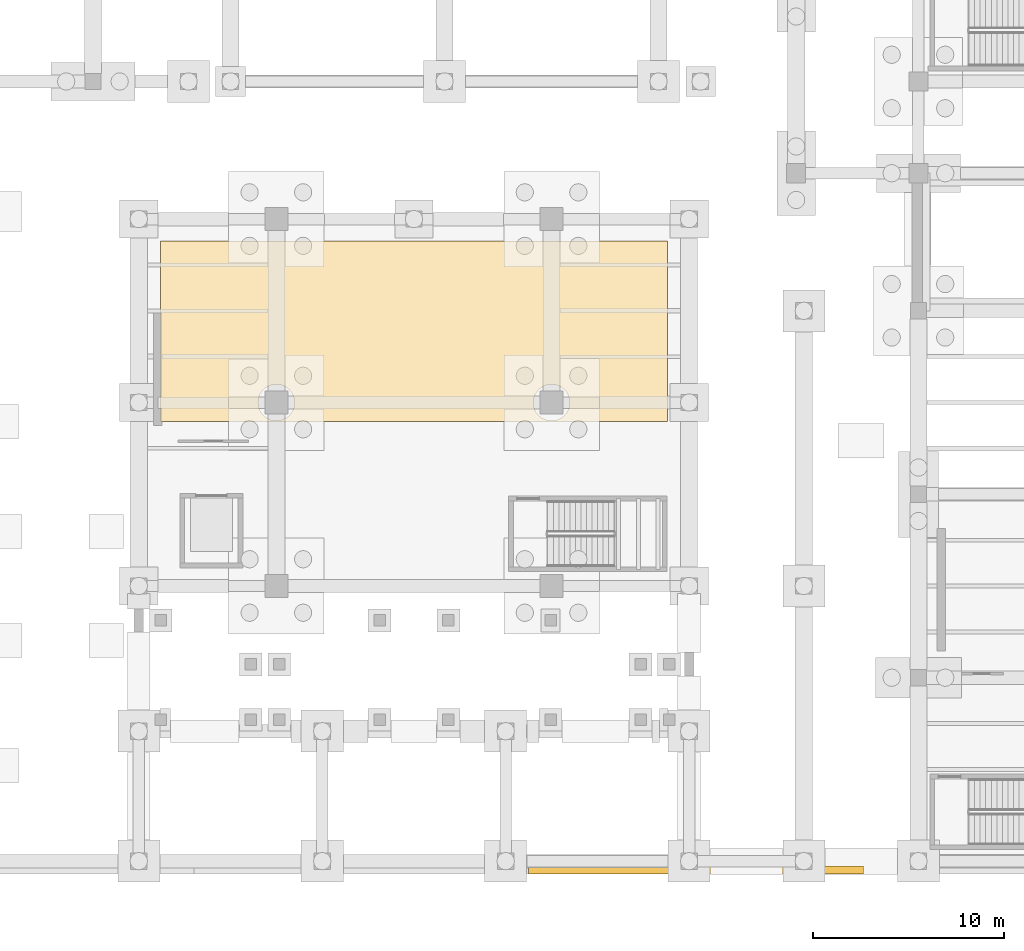
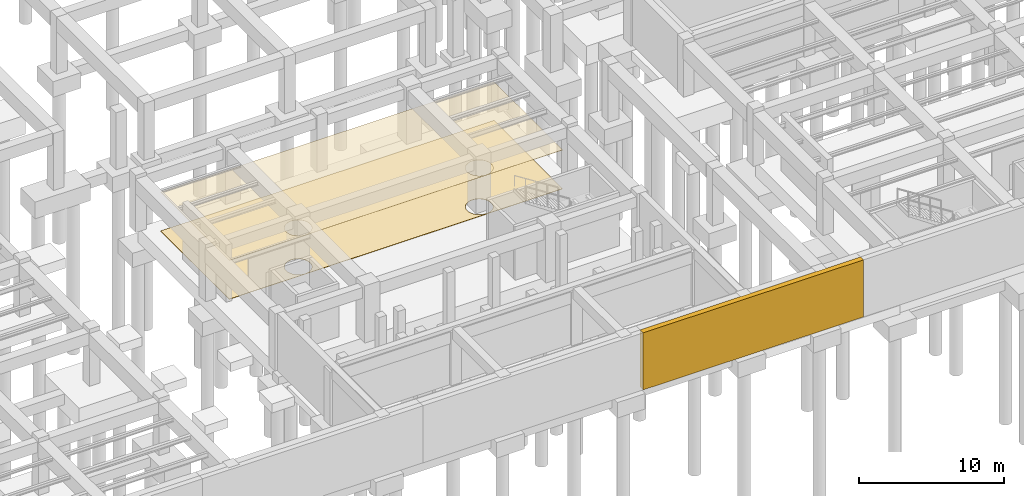
# One storey, part 48 of 56: 3 coverings.
"""IFC4 building model written with IfcOpenShell, lengths in metres."""

import ifcopenshell
import ifcopenshell.guid

model = None  # the IFC model being written
_history = None  # IfcOwnerHistory: only IFC2X3 demands one
_inside = {}  # id of a spatial element -> (the spatial element, [elements in it])
_under = {}  # id of a project, library or spatial element -> (it, [spatial elements below it])
_declared = {}  # id of a project -> (the project, [libraries it declares])
_typed = {}  # id of a type object -> (the type object, [elements of that type])
_made_of = {}  # id of a material, layer set ... -> (it, [elements and type objects made of it])


def new_model(schema):
    """Start an empty IFC model of exactly this schema.

    Asked for "IFC4X3", IfcOpenShell would pick the latest addendum, in which some entities
    have other attributes; the version numbers below select the first issue.
    IFC2X3 requires an IfcOwnerHistory on every rooted entity: one is made here for all.
    """
    global model, _history
    if schema == "IFC4X3":
        model = ifcopenshell.file(schema_version=(4, 3, 0, 0))
    else:
        model = ifcopenshell.file(schema=schema)
    _inside.clear()
    _under.clear()
    _declared.clear()
    _typed.clear()
    _made_of.clear()
    _history = None
    if model.schema == "IFC2X3":
        org = make("IfcOrganization", Name="unknown")
        user = make(
            "IfcPersonAndOrganization",
            ThePerson=make("IfcPerson", FamilyName="unknown"),
            TheOrganization=org,
        )
        app = make(
            "IfcApplication",
            ApplicationDeveloper=org,
            Version="unknown",
            ApplicationFullName="unknown",
            ApplicationIdentifier="unknown",
        )
        _history = make(
            "IfcOwnerHistory",
            OwningUser=user,
            OwningApplication=app,
            ChangeAction="ADDED",
            CreationDate=0,
        )
    return model


def make(cls, **values):
    """One entity of the class cls with the attributes given. An attribute that is None is left unset."""
    return model.create_entity(
        cls, **{name: value for name, value in values.items() if value is not None}
    )


def rooted(cls, **values):
    """An entity with a GlobalId (a new one), such as an element, a storey or a relation."""
    return make(cls, GlobalId=ifcopenshell.guid.new(), OwnerHistory=_history, **values)


def si_unit(unit_type, name, prefix=None):
    """IfcSIUnit, for example si_unit("LENGTHUNIT", "METRE", prefix="MILLI")."""
    return make("IfcSIUnit", UnitType=unit_type, Prefix=prefix, Name=name)


def assignment(units):
    """IfcUnitAssignment: the units of a project."""
    return None if units is None else make("IfcUnitAssignment", Units=units)


def point(xyz):
    """IfcCartesianPoint."""
    return None if xyz is None else make("IfcCartesianPoint", Coordinates=xyz)


def direction(xyz):
    """IfcDirection."""
    return None if xyz is None else make("IfcDirection", DirectionRatios=xyz)


def frame(location, z_axis=None, x_axis=None):
    """IfcAxis2Placement3D, a coordinate frame: its origin and axes. An axis left out is left unset."""
    return make(
        "IfcAxis2Placement3D",
        Location=point(location),
        Axis=direction(z_axis),
        RefDirection=direction(x_axis),
    )


def origin():
    """The frame at (0, 0, 0) with its axes left unset."""
    return frame((0.0, 0.0, 0.0))


def place(relative_to, where):
    """IfcLocalPlacement: puts the frame where relative to a parent placement (None: the world)."""
    return make(
        "IfcLocalPlacement", PlacementRelTo=relative_to, RelativePlacement=where
    )


def context(
    kind, dimensions, precision=None, world=None, true_north=None, identifier=None
):
    """IfcGeometricRepresentationContext, for example the 3D "Model" context."""
    return make(
        "IfcGeometricRepresentationContext",
        ContextIdentifier=identifier,
        ContextType=kind,
        CoordinateSpaceDimension=dimensions,
        Precision=precision,
        WorldCoordinateSystem=world,
        TrueNorth=true_north,
    )


def subcontext(parent, identifier, kind, view, scale=None):
    """IfcGeometricRepresentationSubContext, for example "Body" below "Model"."""
    return make(
        "IfcGeometricRepresentationSubContext",
        ContextIdentifier=identifier,
        ContextType=kind,
        ParentContext=parent,
        TargetScale=scale,
        TargetView=view,
    )


def project(units=None, contexts=None):
    """IfcProject with its units and contexts."""
    return rooted(
        "IfcProject",
        Name="project",
        RepresentationContexts=contexts,
        UnitsInContext=assignment(units),
    )


def spatial(cls, under=None, at=None, **own):
    """A site, building, storey or space (cls), placed at a placement, below another one or the project."""
    s = rooted(cls, ObjectPlacement=at, **own)
    if under is not None:
        _under.setdefault(under.id(), (under, []))[1].append(s)
    return s


def polyline(points):
    """IfcPolyline through the points."""
    return make("IfcPolyline", Points=[point(p) for p in points])


def outline(outer, holes=None, kind="AREA"):
    """IfcArbitraryClosedProfileDef: a profile drawn as a closed curve; with holes, ...WithVoids."""
    if holes is None:
        return make("IfcArbitraryClosedProfileDef", ProfileType=kind, OuterCurve=outer)
    return make(
        "IfcArbitraryProfileDefWithVoids",
        ProfileType=kind,
        OuterCurve=outer,
        InnerCurves=holes,
    )


def extrude(swept, where, along, depth):
    """IfcExtrudedAreaSolid: the profile swept, set in the frame where, extruded along a direction by depth."""
    return make(
        "IfcExtrudedAreaSolid",
        SweptArea=swept,
        Position=where,
        ExtrudedDirection=direction(along),
        Depth=depth,
    )


def shape(context_of_items, identifier, shape_type, items):
    """IfcShapeRepresentation: the items that make up one representation, for example the "Body"."""
    return make(
        "IfcShapeRepresentation",
        ContextOfItems=context_of_items,
        RepresentationIdentifier=identifier,
        RepresentationType=shape_type,
        Items=items,
    )


def material(Name=None, Category=None):
    """IfcMaterial."""
    return make("IfcMaterial", Name=Name, Category=Category)


def layer(
    of_material, thickness, ventilated=None, Name=None, Category=None, Priority=None
):
    """IfcMaterialLayer: one layer of a wall or slab, of a material (None: an air gap)."""
    return make(
        "IfcMaterialLayer",
        Material=of_material,
        LayerThickness=thickness,
        IsVentilated=ventilated,
        Name=Name,
        Category=Category,
        Priority=Priority,
    )


def layer_set(layers, Name=None):
    """IfcMaterialLayerSet."""
    return make("IfcMaterialLayerSet", MaterialLayers=layers, LayerSetName=Name)


def made_of(thing, what):
    """Note that an element or type object is made of a material, layer set ...; save() writes the relation."""
    if what is not None:
        _made_of.setdefault(what.id(), (what, []))[1].append(thing)
    return thing


def type_object(cls, material=None, **own):
    """A type object (cls), such as IfcWallType, which elements share."""
    return made_of(rooted(cls, **own), material)


def element(
    cls,
    number,
    at=None,
    inside=None,
    cuts=None,
    type_object=None,
    material=None,
    context=None,
    identifier="Body",
    shape_type=None,
    held_by="IfcProductDefinitionShape",
    body=None,
    shapes=None,
    **own,
):
    """One element of the class cls, such as IfcWall. Its Tag is "e" and its number.

    at: its placement. inside: the storey or other place that contains it. cuts: it is an
    opening in that element (IfcRelVoidsElement). A single representation is given by context,
    identifier, shape_type and body (its items); several are given by shapes. held_by: the class
    of the entity that holds the representations. save() writes the other relations.
    """
    e = rooted(cls, Tag="e%d" % number, ObjectPlacement=at, **own)
    if body is not None:
        shapes = [shape(context, identifier, shape_type, body)]
    if shapes is not None:
        e.Representation = make(held_by, Representations=shapes)
    if inside is not None:
        _inside.setdefault(inside.id(), (inside, []))[1].append(e)
    if cuts is not None:
        rooted(
            "IfcRelVoidsElement", RelatingBuildingElement=cuts, RelatedOpeningElement=e
        )
    if type_object is not None:
        _typed.setdefault(type_object.id(), (type_object, []))[1].append(e)
    return made_of(e, material)


def aggregate(whole, parts):
    """IfcRelAggregates: a whole, such as a stair, and the parts it consists of."""
    return rooted("IfcRelAggregates", RelatingObject=whole, RelatedObjects=parts)


def save(model, path):
    """Write the relations noted so far, then the file.

    IfcRelAggregates (storeys below a building ...), IfcRelContainedInSpatialStructure (elements
    in a storey), IfcRelDefinesByType, IfcRelAssociatesMaterial and IfcRelDeclares: one each for
    every whole, place, type object, material and project.
    """
    for whole, parts in _under.values():
        aggregate(whole, parts)
    for where, things in _inside.values():
        rooted(
            "IfcRelContainedInSpatialStructure",
            RelatedElements=things,
            RelatingStructure=where,
        )
    for kind, things in _typed.values():
        rooted("IfcRelDefinesByType", RelatedObjects=things, RelatingType=kind)
    for what, things in _made_of.values():
        rooted("IfcRelAssociatesMaterial", RelatedObjects=things, RelatingMaterial=what)
    for by, libraries in _declared.values():
        rooted("IfcRelDeclares", RelatingContext=by, RelatedDefinitions=libraries)
    model.write(path)


model = new_model("IFC4")

# Units and contexts
model_context = context("Model", 3, precision=1e-05, world=origin(), true_north=direction((0.0, 1.0)))
body_context = subcontext(model_context, "Body", "Model", "MODEL_VIEW")
ifc_project = project(units=[si_unit("LENGTHUNIT", "METRE"), si_unit("AREAUNIT", "SQUARE_METRE"), si_unit("VOLUMEUNIT", "CUBIC_METRE"), si_unit("PLANEANGLEUNIT", "RADIAN"), si_unit("MASSUNIT", "GRAM", prefix="KILO")], contexts=[model_context])

# Site, building, storey
site_placement = place(None, origin())
site = spatial("IfcSite", under=ifc_project, at=site_placement, CompositionType="ELEMENT")
building_placement = place(site_placement, origin())
building = spatial("IfcBuilding", under=site, at=building_placement, Name="Mavantir Sound Aquarium", CompositionType="ELEMENT")
storey_placement = place(building_placement, frame((0.0, 0.0, -9.60009765625)))
storey = spatial("IfcBuildingStorey", under=building, at=storey_placement, Name="B2", CompositionType="ELEMENT", Elevation=-9.60009765625)

# Coverings
ifc_material_1 = material(Name="Moisture-Resistant Acoustic Mineral Fibre Tile")
ifc_layer_1 = layer(ifc_material_1, 0.02490234375, Name="Moisture-Resistant Acoustic Mineral Fibre Tile")
ifc_layer_set_1 = layer_set([ifc_layer_1], Name="Moisture-Resistant Acoustic Mineral Fibre Tile")
covering_type_1 = type_object("IfcCoveringType", Name="COV-CEIL-AC", PredefinedType="CEILING", material=ifc_layer_set_1)
covering_1_placement = place(storey_placement, frame((0.0, 0.0, 3.27099609375)))
element("IfcCovering", 1, at=covering_1_placement, inside=storey, type_object=covering_type_1, Name="B2 Metro Station Platform Concourse East suspended acoustic ceiling", PredefinedType="CEILING", context=body_context, shape_type="SweptSolid", body=[
    extrude(outline(polyline([(94.860107421875, 32.4599609375), (94.860107421875, 23.0), (68.340087890625, 23.0), (68.340087890625, 32.4599609375), (94.860107421875, 32.4599609375)]), holes=[polyline([(89.4716796875, 23.328125), (89.534423828125, 23.397216796875), (89.58984375, 23.47216796875), (89.6376953125, 23.55224609375), (89.677734375, 23.636474609375), (89.708984375, 23.72412109375), (89.731689453125, 23.814697265625), (89.745361328125, 23.906982421875), (89.75, 24.0), (89.745361328125, 24.093017578125), (89.731689453125, 24.185302734375), (89.708984375, 24.27587890625), (89.677734375, 24.363525390625), (89.6376953125, 24.44775390625), (89.58984375, 24.52783203125), (89.534423828125, 24.602783203125), (89.4716796875, 24.671875), (89.402587890625, 24.734375), (89.327880859375, 24.789794921875), (89.247802734375, 24.837890625), (89.16357421875, 24.877685546875), (89.07568359375, 24.9091796875), (88.9853515625, 24.931640625), (88.89306640625, 24.9453125), (88.800048828125, 24.949951171875), (88.706787109375, 24.9453125), (88.61474609375, 24.931640625), (88.524169921875, 24.9091796875), (88.4365234375, 24.877685546875), (88.352294921875, 24.837890625), (88.272216796875, 24.789794921875), (88.197265625, 24.734375), (88.128173828125, 24.671875), (88.065673828125, 24.602783203125), (88.010009765625, 24.52783203125), (87.962158203125, 24.44775390625), (87.92236328125, 24.363525390625), (87.890869140625, 24.27587890625), (87.868408203125, 24.185302734375), (87.8544921875, 24.093017578125), (87.85009765625, 24.0), (87.8544921875, 23.906982421875), (87.868408203125, 23.814697265625), (87.890869140625, 23.72412109375), (87.92236328125, 23.636474609375), (87.962158203125, 23.55224609375), (88.010009765625, 23.47216796875), (88.065673828125, 23.397216796875), (88.128173828125, 23.328125), (88.197265625, 23.265625), (88.272216796875, 23.210205078125), (88.352294921875, 23.162109375), (88.4365234375, 23.122314453125), (88.524169921875, 23.0908203125), (88.61474609375, 23.068359375), (88.706787109375, 23.0546875), (88.800048828125, 23.050048828125), (88.89306640625, 23.0546875), (88.9853515625, 23.068359375), (89.07568359375, 23.0908203125), (89.16357421875, 23.122314453125), (89.247802734375, 23.162109375), (89.327880859375, 23.210205078125), (89.402587890625, 23.265625), (89.4716796875, 23.328125)]), polyline([(75.07177734375, 23.328125), (75.134521484375, 23.397216796875), (75.18994140625, 23.47216796875), (75.23779296875, 23.55224609375), (75.277587890625, 23.636474609375), (75.30908203125, 23.72412109375), (75.331787109375, 23.814697265625), (75.345458984375, 23.906982421875), (75.35009765625, 24.0), (75.345458984375, 24.093017578125), (75.331787109375, 24.185302734375), (75.30908203125, 24.27587890625), (75.277587890625, 24.363525390625), (75.23779296875, 24.44775390625), (75.18994140625, 24.52783203125), (75.134521484375, 24.602783203125), (75.07177734375, 24.671875), (75.002685546875, 24.734375), (74.927734375, 24.789794921875), (74.847900390625, 24.837890625), (74.763427734375, 24.877685546875), (74.67578125, 24.9091796875), (74.585205078125, 24.931640625), (74.4931640625, 24.9453125), (74.39990234375, 24.949951171875), (74.306884765625, 24.9453125), (74.214599609375, 24.931640625), (74.124267578125, 24.9091796875), (74.03662109375, 24.877685546875), (73.9521484375, 24.837890625), (73.872314453125, 24.789794921875), (73.79736328125, 24.734375), (73.728271484375, 24.671875), (73.66552734375, 24.602783203125), (73.610107421875, 24.52783203125), (73.562255859375, 24.44775390625), (73.522216796875, 24.363525390625), (73.490966796875, 24.27587890625), (73.46826171875, 24.185302734375), (73.45458984375, 24.093017578125), (73.449951171875, 24.0), (73.45458984375, 23.906982421875), (73.46826171875, 23.814697265625), (73.490966796875, 23.72412109375), (73.522216796875, 23.636474609375), (73.562255859375, 23.55224609375), (73.610107421875, 23.47216796875), (73.66552734375, 23.397216796875), (73.728271484375, 23.328125), (73.79736328125, 23.265625), (73.872314453125, 23.210205078125), (73.9521484375, 23.162109375), (74.03662109375, 23.122314453125), (74.124267578125, 23.0908203125), (74.214599609375, 23.068359375), (74.306884765625, 23.0546875), (74.39990234375, 23.050048828125), (74.4931640625, 23.0546875), (74.585205078125, 23.068359375), (74.67578125, 23.0908203125), (74.763427734375, 23.122314453125), (74.847900390625, 23.162109375), (74.927734375, 23.210205078125), (75.002685546875, 23.265625), (75.07177734375, 23.328125)])]), origin(), (0.0, 0.0, 1.0), 0.025146484375),
])
ifc_material_2 = material(Name="Honed Coral-Limestone & Glazed Terracotta Rainscreen Cladding", Category="masonry")
ifc_layer_2 = layer(ifc_material_2, 0.06005859375, Name="Honed Coral-Limestone & Glazed Terracotta Rainscreen Cladding")
ifc_layer_set_2 = layer_set([ifc_layer_2], Name="Honed Coral-Limestone & Glazed Terracotta Rainscreen Cladding")
covering_type_2 = type_object("IfcCoveringType", Name="COV-CLAD-TC", PredefinedType="CLADDING", material=ifc_layer_set_2)
covering_2_placement = place(storey_placement, origin())
element("IfcCovering", 2, at=covering_2_placement, inside=storey, type_object=covering_type_2, Name="B2 rusticated coral-stone plinth cladding 48", PredefinedType="CLADDING", context=body_context, shape_type="SweptSolid", body=[
    extrude(outline(polyline([(87.60009765625, -0.25), (105.1201171875, -0.25), (105.1201171875, -0.659912109375), (87.60009765625, -0.659912109375), (87.60009765625, -0.25)])), origin(), (0.0, 0.0, 1.0), 4.800048828125),
])
ifc_material_3 = material(Name="Marine Epoxy Recycled-Shell Terrazzo Flooring")
ifc_layer_3 = layer(ifc_material_3, 0.030029296875, Name="Marine Epoxy Recycled-Shell Terrazzo Flooring")
ifc_layer_set_3 = layer_set([ifc_layer_3], Name="Marine Epoxy Recycled-Shell Terrazzo Flooring")
covering_type_3 = type_object("IfcCoveringType", Name="COV-FLR-TZ", PredefinedType="FLOORING", material=ifc_layer_set_3)
covering_3_placement = place(storey_placement, origin())
element("IfcCovering", 3, at=covering_3_placement, inside=storey, type_object=covering_type_3, Name="B2 Metro Station Platform Concourse East terrazzo flooring", PredefinedType="FLOORING", context=body_context, shape_type="SweptSolid", body=[
    extrude(outline(polyline([(94.860107421875, 32.4599609375), (94.860107421875, 23.0), (68.340087890625, 23.0), (68.340087890625, 32.4599609375), (94.860107421875, 32.4599609375)]), holes=[polyline([(89.4716796875, 23.328125), (89.534423828125, 23.397216796875), (89.58984375, 23.47216796875), (89.6376953125, 23.55224609375), (89.677734375, 23.636474609375), (89.708984375, 23.72412109375), (89.731689453125, 23.814697265625), (89.745361328125, 23.906982421875), (89.75, 24.0), (89.745361328125, 24.093017578125), (89.731689453125, 24.185302734375), (89.708984375, 24.27587890625), (89.677734375, 24.363525390625), (89.6376953125, 24.44775390625), (89.58984375, 24.52783203125), (89.534423828125, 24.602783203125), (89.4716796875, 24.671875), (89.402587890625, 24.734375), (89.327880859375, 24.789794921875), (89.247802734375, 24.837890625), (89.16357421875, 24.877685546875), (89.07568359375, 24.9091796875), (88.9853515625, 24.931640625), (88.89306640625, 24.9453125), (88.800048828125, 24.949951171875), (88.706787109375, 24.9453125), (88.61474609375, 24.931640625), (88.524169921875, 24.9091796875), (88.4365234375, 24.877685546875), (88.352294921875, 24.837890625), (88.272216796875, 24.789794921875), (88.197265625, 24.734375), (88.128173828125, 24.671875), (88.065673828125, 24.602783203125), (88.010009765625, 24.52783203125), (87.962158203125, 24.44775390625), (87.92236328125, 24.363525390625), (87.890869140625, 24.27587890625), (87.868408203125, 24.185302734375), (87.8544921875, 24.093017578125), (87.85009765625, 24.0), (87.8544921875, 23.906982421875), (87.868408203125, 23.814697265625), (87.890869140625, 23.72412109375), (87.92236328125, 23.636474609375), (87.962158203125, 23.55224609375), (88.010009765625, 23.47216796875), (88.065673828125, 23.397216796875), (88.128173828125, 23.328125), (88.197265625, 23.265625), (88.272216796875, 23.210205078125), (88.352294921875, 23.162109375), (88.4365234375, 23.122314453125), (88.524169921875, 23.0908203125), (88.61474609375, 23.068359375), (88.706787109375, 23.0546875), (88.800048828125, 23.050048828125), (88.89306640625, 23.0546875), (88.9853515625, 23.068359375), (89.07568359375, 23.0908203125), (89.16357421875, 23.122314453125), (89.247802734375, 23.162109375), (89.327880859375, 23.210205078125), (89.402587890625, 23.265625), (89.4716796875, 23.328125)]), polyline([(75.07177734375, 23.328125), (75.134521484375, 23.397216796875), (75.18994140625, 23.47216796875), (75.23779296875, 23.55224609375), (75.277587890625, 23.636474609375), (75.30908203125, 23.72412109375), (75.331787109375, 23.814697265625), (75.345458984375, 23.906982421875), (75.35009765625, 24.0), (75.345458984375, 24.093017578125), (75.331787109375, 24.185302734375), (75.30908203125, 24.27587890625), (75.277587890625, 24.363525390625), (75.23779296875, 24.44775390625), (75.18994140625, 24.52783203125), (75.134521484375, 24.602783203125), (75.07177734375, 24.671875), (75.002685546875, 24.734375), (74.927734375, 24.789794921875), (74.847900390625, 24.837890625), (74.763427734375, 24.877685546875), (74.67578125, 24.9091796875), (74.585205078125, 24.931640625), (74.4931640625, 24.9453125), (74.39990234375, 24.949951171875), (74.306884765625, 24.9453125), (74.214599609375, 24.931640625), (74.124267578125, 24.9091796875), (74.03662109375, 24.877685546875), (73.9521484375, 24.837890625), (73.872314453125, 24.789794921875), (73.79736328125, 24.734375), (73.728271484375, 24.671875), (73.66552734375, 24.602783203125), (73.610107421875, 24.52783203125), (73.562255859375, 24.44775390625), (73.522216796875, 24.363525390625), (73.490966796875, 24.27587890625), (73.46826171875, 24.185302734375), (73.45458984375, 24.093017578125), (73.449951171875, 24.0), (73.45458984375, 23.906982421875), (73.46826171875, 23.814697265625), (73.490966796875, 23.72412109375), (73.522216796875, 23.636474609375), (73.562255859375, 23.55224609375), (73.610107421875, 23.47216796875), (73.66552734375, 23.397216796875), (73.728271484375, 23.328125), (73.79736328125, 23.265625), (73.872314453125, 23.210205078125), (73.9521484375, 23.162109375), (74.03662109375, 23.122314453125), (74.124267578125, 23.0908203125), (74.214599609375, 23.068359375), (74.306884765625, 23.0546875), (74.39990234375, 23.050048828125), (74.4931640625, 23.0546875), (74.585205078125, 23.068359375), (74.67578125, 23.0908203125), (74.763427734375, 23.122314453125), (74.847900390625, 23.162109375), (74.927734375, 23.210205078125), (75.002685546875, 23.265625), (75.07177734375, 23.328125)])]), origin(), (0.0, 0.0, 1.0), 0.030029296875),
])

save(model, "model.ifc")
